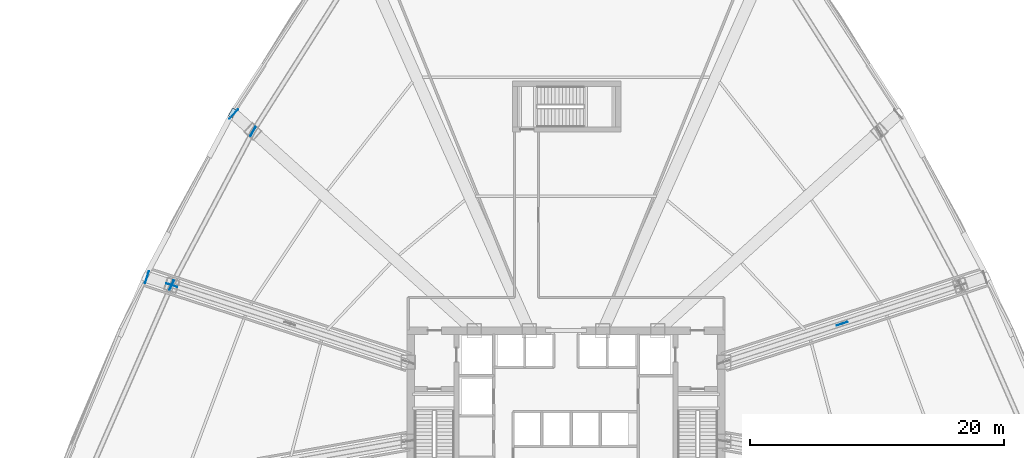
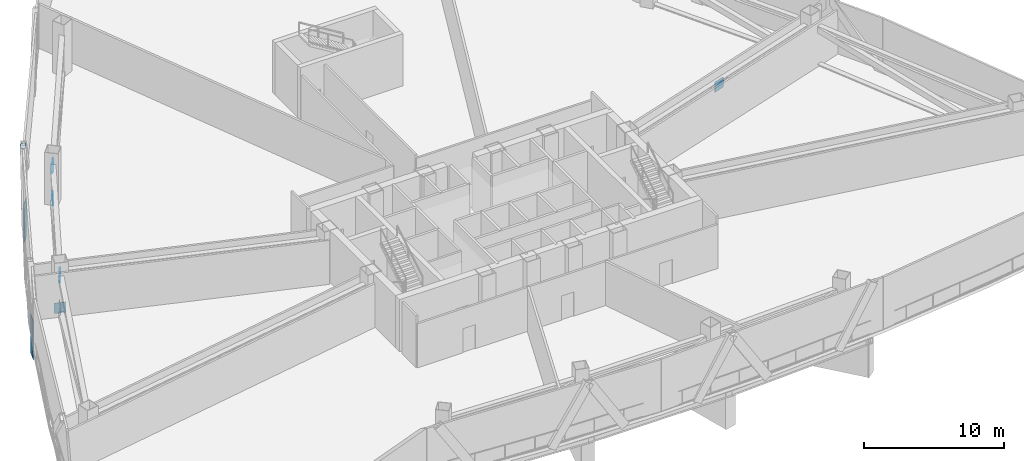
# One storey, part 5 of 17: 9 plates.
"""IFC4 building model written with IfcOpenShell, lengths in metres."""

from ifc_helpers import new_model, si_unit, direction, frame, origin, origin_2d, place, context, subcontext, project, spatial, rectangle, extrude, source, transform, mapped, material, layer, layer_set, type_object, element, save


model = new_model("IFC4")

# Units and contexts
model_context = context("Model", 3, precision=1e-05, world=origin(), true_north=direction((0.0, 1.0)))
body_context = subcontext(model_context, "Body", "Model", "MODEL_VIEW")
ifc_project = project(units=[si_unit("LENGTHUNIT", "METRE"), si_unit("AREAUNIT", "SQUARE_METRE"), si_unit("VOLUMEUNIT", "CUBIC_METRE"), si_unit("PLANEANGLEUNIT", "RADIAN"), si_unit("MASSUNIT", "GRAM", prefix="KILO"), si_unit("THERMODYNAMICTEMPERATUREUNIT", "KELVIN"), si_unit("POWERUNIT", "WATT")], contexts=[model_context])

# Site, building, storey
site_placement = place(None, origin())
site = spatial("IfcSite", under=ifc_project, at=site_placement, CompositionType="ELEMENT")
building_placement = place(site_placement, origin())
building = spatial("IfcBuilding", under=site, at=building_placement, Name="Yunzhuo Pagoda Commons", CompositionType="ELEMENT")
storey_placement = place(building_placement, frame((0.0, 0.0, 76.3798828125)))
storey = spatial("IfcBuildingStorey", under=building, at=storey_placement, Name="L19", CompositionType="ELEMENT", Elevation=76.3798828125)

# Plates
ifc_material_1 = material(Name="Structural steel Q420B", Category="steel")
ifc_layer_1 = layer(ifc_material_1, 0.0400390625)
ifc_layer_set_1 = layer_set([ifc_layer_1], Name="Structural steel Q420B")
plate_type_1 = type_object("IfcPlateType", Name="EP-TR2 Transfer Girder End Cap Plate 980x3540x40", PredefinedType="USERDEFINED", material=ifc_layer_set_1)
shared_shape_1 = source(origin(), body_context, "Body", "SweptSolid", [
    extrude(rectangle(XDim=0.97998046875, YDim=0.0400390625, at=origin_2d()), origin(), (0.0, 0.0, 1.0), 3.389892578125),
])
for number, where, z_axis, x_axis, name in (
    (1, (21.882080078125, 57.216796875, -3.64990234375), (0.0, 0.0, 1.0), (-0.669130606359, -0.743144825477, 0.0), "L19 transfer girder end cap plate F3C2"),
    (2, (15.065185546875, 44.401123046875, -3.64990234375), (0.0, 0.0, 1.0), (-0.309016994375, -0.951056516295, 0.0), "L19 transfer girder end cap plate F3C3"),
):
    element("IfcPlate", number, at=place(storey_placement, frame(where, z_axis=z_axis, x_axis=x_axis)), inside=storey, type_object=plate_type_1, Name=name, ObjectType="END_PLATE", PredefinedType="USERDEFINED", context=body_context, shape_type="MappedRepresentation", body=[
        mapped(shared_shape_1, transform((0.0, 0.0, 0.0), scale=1.0)),
    ])
ifc_layer_2 = layer(ifc_material_1, 0.0400390625)
ifc_layer_set_2 = layer_set([ifc_layer_2], Name="Structural steel Q420B")
plate_type_2 = type_object("IfcPlateType", Name="GP-OT1 Outrigger Gusset Plate 900x500x900", PredefinedType="USERDEFINED", material=ifc_layer_set_2)
shared_shape_2 = source(origin(), body_context, "Body", "SweptSolid", [
    extrude(rectangle(XDim=0.89990234375, YDim=0.0400390625, at=origin_2d()), origin(), (0.0, 0.0, 1.0), 0.89990234375),
])
for number, where, z_axis, x_axis, name in (
    (3, (69.6953125, 40.749267578125, 2.690185546875), (0.0, 0.0, 1.0), (0.951056516295, 0.309016994375, 0.0), "L19 outrigger apex gusset plate F2C2"),
    (4, (17.00927734375, 43.76953125, -0.179931640625), (0.0, 0.0, 1.0), (-0.951056516295, 0.309016994375, 0.0), "L19 outrigger column gusset plate F3C3"),
):
    element("IfcPlate", number, at=place(storey_placement, frame(where, z_axis=z_axis, x_axis=x_axis)), inside=storey, type_object=plate_type_2, Name=name, ObjectType="GUSSET_PLATE", PredefinedType="USERDEFINED", context=body_context, shape_type="MappedRepresentation", body=[
        mapped(shared_shape_2, transform((0.0, 0.0, 0.0), scale=1.0)),
    ])
ifc_material_2 = material(Name="Structural steel Q355B", Category="steel")
ifc_layer_3 = layer(ifc_material_2, 0.028076171875)
ifc_layer_set_3 = layer_set([ifc_layer_3], Name="Structural steel Q355B")
plate_type_3 = type_object("IfcPlateType", Name="SP-ND1 Lattice Node Cap Plate 800x500x28", PredefinedType="USERDEFINED", material=ifc_layer_set_3)
shared_shape_3 = source(origin(), body_context, "Body", "SweptSolid", [
    extrude(rectangle(XDim=0.800048828125, YDim=0.0400390625, at=origin_2d()), origin(), (0.0, 0.0, 1.0), 0.800048828125),
])
for number, where, z_axis, x_axis, name in (
    (5, (23.397216796875, 55.852294921875, 2.740234375), (0.0, 0.0, 1.0), (-0.535694161649, -0.844412082561, 0.0), "L19 belt truss upper gusset plate 9"),
    (6, (23.397216796875, 55.852294921875, -0.1298828125), (0.0, 0.0, 1.0), (-0.467389865287, -0.884051307237, 0.0), "L19 belt truss lower gusset plate 10"),
    (7, (17.00927734375, 43.76953125, 2.740234375), (0.0, 0.0, 1.0), (-0.467389865287, -0.884051307237, 0.0), "L19 belt truss upper gusset plate 10"),
    (8, (17.00927734375, 43.76953125, -0.1298828125), (0.0, 0.0, 1.0), (-0.400716851866, -0.916201945332, 0.0), "L19 belt truss lower gusset plate 11"),
):
    element("IfcPlate", number, at=place(storey_placement, frame(where, z_axis=z_axis, x_axis=x_axis)), inside=storey, type_object=plate_type_3, Name=name, ObjectType="STIFFENER_PLATE", PredefinedType="USERDEFINED", context=body_context, shape_type="MappedRepresentation", body=[
        mapped(shared_shape_3, transform((0.0, 0.0, 0.0), scale=1.0)),
    ])
shared_shape_4 = source(origin(), body_context, "Body", "SweptSolid", [
    extrude(rectangle(XDim=0.699951171875, YDim=0.35009765625, at=origin_2d()), origin(), (0.0, 0.0, 1.0), 0.035888671875),
])
plate_placement = place(storey_placement, frame((21.7802734375, 57.308349609375, 4.501953125), z_axis=(0.0, 0.0, 1.0), x_axis=(-0.469733517942, -0.882808258979, 0.0)))
element("IfcPlate", 9, at=plate_placement, inside=storey, type_object=plate_type_3, Name="L19 setback lattice tie plate F3.2L", ObjectType="STIFFENER_PLATE", PredefinedType="USERDEFINED", context=body_context, shape_type="MappedRepresentation", body=[
    mapped(shared_shape_4, transform((0.0, 0.0, 0.0), scale=1.0)),
])

save(model, "model.ifc")
